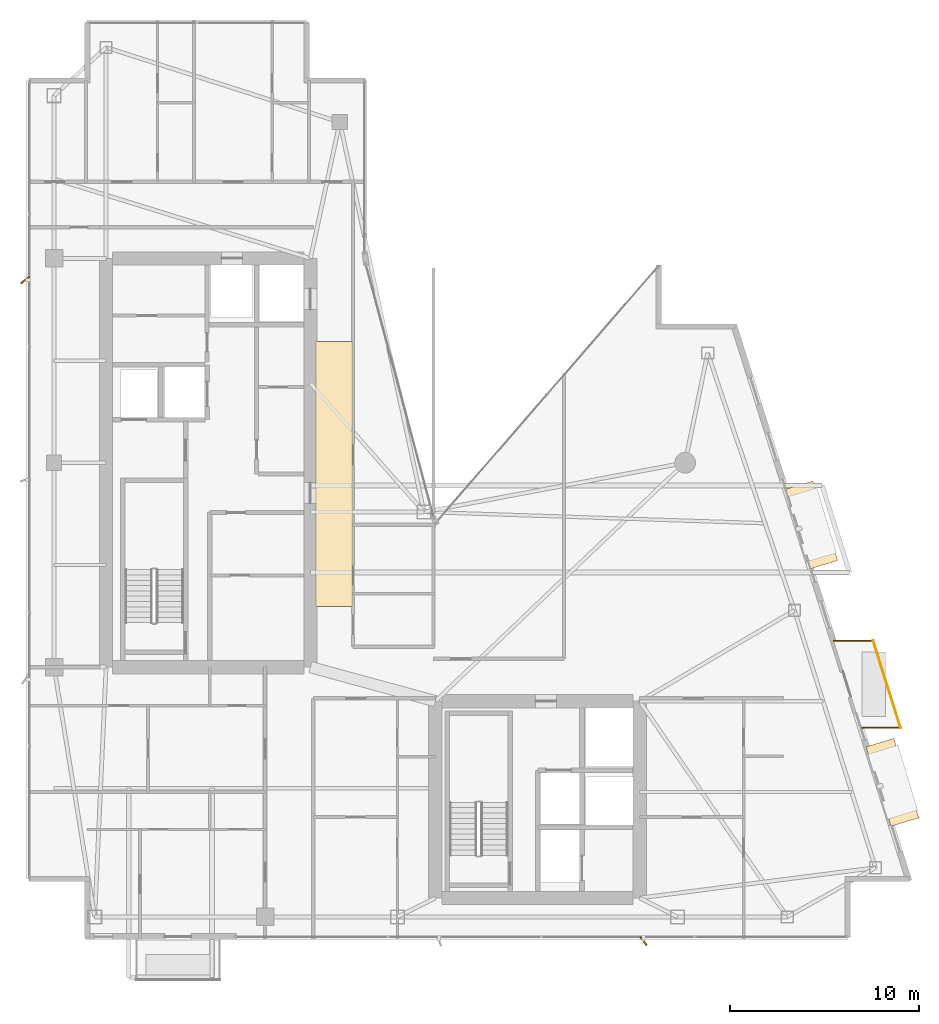
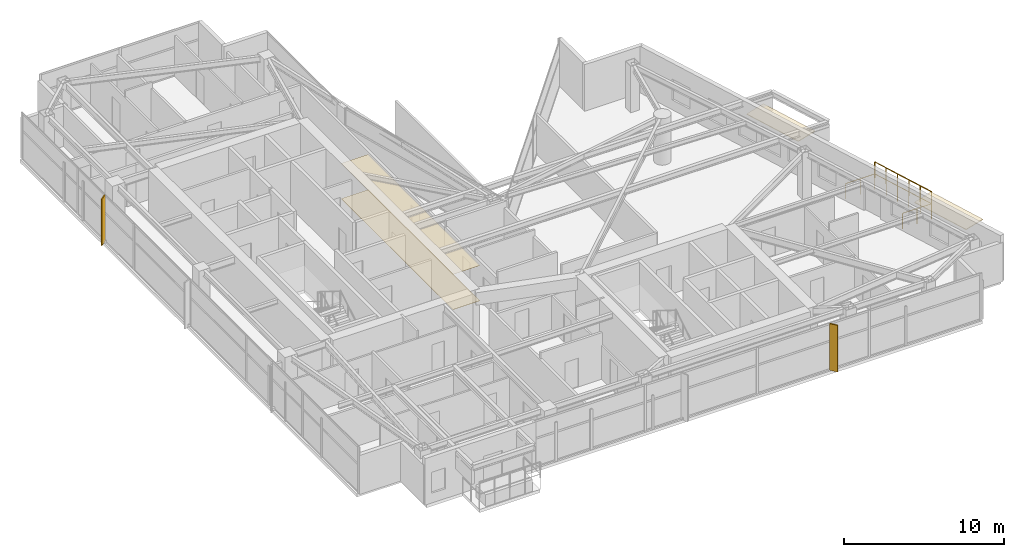
# One storey, part 29 of 29: 4 coverings, 2 railings, 2 shading devices.
"""IFC4 building model written with IfcOpenShell, lengths in metres."""

import ifcopenshell
import ifcopenshell.guid

model = None  # the IFC model being written
_history = None  # IfcOwnerHistory: only IFC2X3 demands one
_inside = {}  # id of a spatial element -> (the spatial element, [elements in it])
_under = {}  # id of a project, library or spatial element -> (it, [spatial elements below it])
_declared = {}  # id of a project -> (the project, [libraries it declares])
_typed = {}  # id of a type object -> (the type object, [elements of that type])
_made_of = {}  # id of a material, layer set ... -> (it, [elements and type objects made of it])


def new_model(schema):
    """Start an empty IFC model of exactly this schema.

    Asked for "IFC4X3", IfcOpenShell would pick the latest addendum, in which some entities
    have other attributes; the version numbers below select the first issue.
    IFC2X3 requires an IfcOwnerHistory on every rooted entity: one is made here for all.
    """
    global model, _history
    if schema == "IFC4X3":
        model = ifcopenshell.file(schema_version=(4, 3, 0, 0))
    else:
        model = ifcopenshell.file(schema=schema)
    _inside.clear()
    _under.clear()
    _declared.clear()
    _typed.clear()
    _made_of.clear()
    _history = None
    if model.schema == "IFC2X3":
        org = make("IfcOrganization", Name="unknown")
        user = make(
            "IfcPersonAndOrganization",
            ThePerson=make("IfcPerson", FamilyName="unknown"),
            TheOrganization=org,
        )
        app = make(
            "IfcApplication",
            ApplicationDeveloper=org,
            Version="unknown",
            ApplicationFullName="unknown",
            ApplicationIdentifier="unknown",
        )
        _history = make(
            "IfcOwnerHistory",
            OwningUser=user,
            OwningApplication=app,
            ChangeAction="ADDED",
            CreationDate=0,
        )
    return model


def make(cls, **values):
    """One entity of the class cls with the attributes given. An attribute that is None is left unset."""
    return model.create_entity(
        cls, **{name: value for name, value in values.items() if value is not None}
    )


def rooted(cls, **values):
    """An entity with a GlobalId (a new one), such as an element, a storey or a relation."""
    return make(cls, GlobalId=ifcopenshell.guid.new(), OwnerHistory=_history, **values)


def si_unit(unit_type, name, prefix=None):
    """IfcSIUnit, for example si_unit("LENGTHUNIT", "METRE", prefix="MILLI")."""
    return make("IfcSIUnit", UnitType=unit_type, Prefix=prefix, Name=name)


def assignment(units):
    """IfcUnitAssignment: the units of a project."""
    return None if units is None else make("IfcUnitAssignment", Units=units)


def point(xyz):
    """IfcCartesianPoint."""
    return None if xyz is None else make("IfcCartesianPoint", Coordinates=xyz)


def direction(xyz):
    """IfcDirection."""
    return None if xyz is None else make("IfcDirection", DirectionRatios=xyz)


def frame(location, z_axis=None, x_axis=None):
    """IfcAxis2Placement3D, a coordinate frame: its origin and axes. An axis left out is left unset."""
    return make(
        "IfcAxis2Placement3D",
        Location=point(location),
        Axis=direction(z_axis),
        RefDirection=direction(x_axis),
    )


def frame_2d(location, x_axis=None):
    """IfcAxis2Placement2D, a coordinate frame in the plane: its origin and x axis."""
    return make(
        "IfcAxis2Placement2D", Location=point(location), RefDirection=direction(x_axis)
    )


def origin():
    """The frame at (0, 0, 0) with its axes left unset."""
    return frame((0.0, 0.0, 0.0))


def origin_2d():
    """The frame at (0, 0) in the plane with its x axis left unset."""
    return frame_2d((0.0, 0.0))


def place(relative_to, where):
    """IfcLocalPlacement: puts the frame where relative to a parent placement (None: the world)."""
    return make(
        "IfcLocalPlacement", PlacementRelTo=relative_to, RelativePlacement=where
    )


def context(
    kind, dimensions, precision=None, world=None, true_north=None, identifier=None
):
    """IfcGeometricRepresentationContext, for example the 3D "Model" context."""
    return make(
        "IfcGeometricRepresentationContext",
        ContextIdentifier=identifier,
        ContextType=kind,
        CoordinateSpaceDimension=dimensions,
        Precision=precision,
        WorldCoordinateSystem=world,
        TrueNorth=true_north,
    )


def subcontext(parent, identifier, kind, view, scale=None):
    """IfcGeometricRepresentationSubContext, for example "Body" below "Model"."""
    return make(
        "IfcGeometricRepresentationSubContext",
        ContextIdentifier=identifier,
        ContextType=kind,
        ParentContext=parent,
        TargetScale=scale,
        TargetView=view,
    )


def project(units=None, contexts=None):
    """IfcProject with its units and contexts."""
    return rooted(
        "IfcProject",
        Name="project",
        RepresentationContexts=contexts,
        UnitsInContext=assignment(units),
    )


def spatial(cls, under=None, at=None, **own):
    """A site, building, storey or space (cls), placed at a placement, below another one or the project."""
    s = rooted(cls, ObjectPlacement=at, **own)
    if under is not None:
        _under.setdefault(under.id(), (under, []))[1].append(s)
    return s


def polyline(points):
    """IfcPolyline through the points."""
    return make("IfcPolyline", Points=[point(p) for p in points])


def profile(cls, at=None, kind="AREA", **sizes):
    """A parametric profile (cls). Its sizes go by their IFC names, for example OverallWidth=200.0."""
    return make(cls, ProfileType=kind, Position=at, **sizes)


def rectangle(**sizes):
    """IfcRectangleProfileDef."""
    return profile("IfcRectangleProfileDef", **sizes)


def circle(**sizes):
    """IfcCircleProfileDef."""
    return profile("IfcCircleProfileDef", **sizes)


def outline(outer, holes=None, kind="AREA"):
    """IfcArbitraryClosedProfileDef: a profile drawn as a closed curve; with holes, ...WithVoids."""
    if holes is None:
        return make("IfcArbitraryClosedProfileDef", ProfileType=kind, OuterCurve=outer)
    return make(
        "IfcArbitraryProfileDefWithVoids",
        ProfileType=kind,
        OuterCurve=outer,
        InnerCurves=holes,
    )


def extrude(swept, where, along, depth):
    """IfcExtrudedAreaSolid: the profile swept, set in the frame where, extruded along a direction by depth."""
    return make(
        "IfcExtrudedAreaSolid",
        SweptArea=swept,
        Position=where,
        ExtrudedDirection=direction(along),
        Depth=depth,
    )


def shape(context_of_items, identifier, shape_type, items):
    """IfcShapeRepresentation: the items that make up one representation, for example the "Body"."""
    return make(
        "IfcShapeRepresentation",
        ContextOfItems=context_of_items,
        RepresentationIdentifier=identifier,
        RepresentationType=shape_type,
        Items=items,
    )


def material(Name=None, Category=None):
    """IfcMaterial."""
    return make("IfcMaterial", Name=Name, Category=Category)


def layer(
    of_material, thickness, ventilated=None, Name=None, Category=None, Priority=None
):
    """IfcMaterialLayer: one layer of a wall or slab, of a material (None: an air gap)."""
    return make(
        "IfcMaterialLayer",
        Material=of_material,
        LayerThickness=thickness,
        IsVentilated=ventilated,
        Name=Name,
        Category=Category,
        Priority=Priority,
    )


def layer_set(layers, Name=None):
    """IfcMaterialLayerSet."""
    return make("IfcMaterialLayerSet", MaterialLayers=layers, LayerSetName=Name)


def made_of(thing, what):
    """Note that an element or type object is made of a material, layer set ...; save() writes the relation."""
    if what is not None:
        _made_of.setdefault(what.id(), (what, []))[1].append(thing)
    return thing


def type_object(cls, material=None, **own):
    """A type object (cls), such as IfcWallType, which elements share."""
    return made_of(rooted(cls, **own), material)


def element(
    cls,
    number,
    at=None,
    inside=None,
    cuts=None,
    type_object=None,
    material=None,
    context=None,
    identifier="Body",
    shape_type=None,
    held_by="IfcProductDefinitionShape",
    body=None,
    shapes=None,
    **own,
):
    """One element of the class cls, such as IfcWall. Its Tag is "e" and its number.

    at: its placement. inside: the storey or other place that contains it. cuts: it is an
    opening in that element (IfcRelVoidsElement). A single representation is given by context,
    identifier, shape_type and body (its items); several are given by shapes. held_by: the class
    of the entity that holds the representations. save() writes the other relations.
    """
    e = rooted(cls, Tag="e%d" % number, ObjectPlacement=at, **own)
    if body is not None:
        shapes = [shape(context, identifier, shape_type, body)]
    if shapes is not None:
        e.Representation = make(held_by, Representations=shapes)
    if inside is not None:
        _inside.setdefault(inside.id(), (inside, []))[1].append(e)
    if cuts is not None:
        rooted(
            "IfcRelVoidsElement", RelatingBuildingElement=cuts, RelatedOpeningElement=e
        )
    if type_object is not None:
        _typed.setdefault(type_object.id(), (type_object, []))[1].append(e)
    return made_of(e, material)


def aggregate(whole, parts):
    """IfcRelAggregates: a whole, such as a stair, and the parts it consists of."""
    return rooted("IfcRelAggregates", RelatingObject=whole, RelatedObjects=parts)


def save(model, path):
    """Write the relations noted so far, then the file.

    IfcRelAggregates (storeys below a building ...), IfcRelContainedInSpatialStructure (elements
    in a storey), IfcRelDefinesByType, IfcRelAssociatesMaterial and IfcRelDeclares: one each for
    every whole, place, type object, material and project.
    """
    for whole, parts in _under.values():
        aggregate(whole, parts)
    for where, things in _inside.values():
        rooted(
            "IfcRelContainedInSpatialStructure",
            RelatedElements=things,
            RelatingStructure=where,
        )
    for kind, things in _typed.values():
        rooted("IfcRelDefinesByType", RelatedObjects=things, RelatingType=kind)
    for what, things in _made_of.values():
        rooted("IfcRelAssociatesMaterial", RelatedObjects=things, RelatingMaterial=what)
    for by, libraries in _declared.values():
        rooted("IfcRelDeclares", RelatingContext=by, RelatedDefinitions=libraries)
    model.write(path)


model = new_model("IFC4")

# Units and contexts
model_context = context("Model", 3, precision=1e-05, world=origin(), true_north=direction((0.0, 1.0)))
body_context = subcontext(model_context, "Body", "Model", "MODEL_VIEW")
ifc_project = project(units=[si_unit("LENGTHUNIT", "METRE"), si_unit("AREAUNIT", "SQUARE_METRE"), si_unit("VOLUMEUNIT", "CUBIC_METRE"), si_unit("PLANEANGLEUNIT", "RADIAN"), si_unit("MASSUNIT", "GRAM", prefix="KILO")], contexts=[model_context])

# Site, building, storey
site_placement = place(None, origin())
site = spatial("IfcSite", under=ifc_project, at=site_placement, CompositionType="ELEMENT")
building_placement = place(site_placement, origin())
building = spatial("IfcBuilding", under=site, at=building_placement, Name="Calvorn Quay Hotel", CompositionType="ELEMENT")
storey_placement = place(building_placement, frame((0.0, 0.0, 251.39990234375)))
storey = spatial("IfcBuildingStorey", under=building, at=storey_placement, Name="L62", CompositionType="ELEMENT", Elevation=251.39990234375)

# Coverings
ifc_material_1 = material(Name="Anodised Aluminium Acoustic Baffle", Category="aluminium")
ifc_layer_1 = layer(ifc_material_1, 0.02001953125)
ifc_layer_set_1 = layer_set([ifc_layer_1], Name="COV-CEIL-METAL")
covering_type_1 = type_object("IfcCoveringType", Name="COV-CEIL-METAL", PredefinedType="CEILING", material=ifc_layer_set_1)
covering_1_placement = place(storey_placement, frame((16.25, 27.0, 2.7001953125), z_axis=(0.0, 0.0, 1.0), x_axis=(1.0, 0.0, 0.0)))
element("IfcCovering", 1, at=covering_1_placement, inside=storey, type_object=covering_type_1, Name="Acoustic Suspended Ceiling (L62)", PredefinedType="CEILING", context=body_context, shape_type="SweptSolid", body=[
    extrude(rectangle(XDim=1.9599609375, YDim=14.0, at=origin_2d()), origin(), (0.0, 0.0, 1.0), 0.02001953125),
])
ifc_material_2 = material(Name="Pale Anodised Aluminium Rainscreen Cladding", Category="aluminium")
ifc_layer_2 = layer(ifc_material_2, 0.044921875)
ifc_layer_set_2 = layer_set([ifc_layer_2], Name="COV-CROWN-CLAD")
covering_type_2 = type_object("IfcCoveringType", Name="COV-CROWN-CLAD", PredefinedType="CLADDING", material=ifc_layer_set_2)
covering_2_placement = place(storey_placement, frame((0.0, 0.0, 2.505126953125)))
element("IfcCovering", 2, at=covering_2_placement, inside=storey, type_object=covering_type_2, Name="Angled Bay Hood Canopy L62-HOOD-1", PredefinedType="CLADDING", context=body_context, shape_type="SweptSolid", body=[
    extrude(outline(polyline([(44.35693359375, 12.587890625), (45.8310546875, 13.034912109375), (47.154052734375, 8.8349609375), (45.679931640625, 8.387939453125), (44.35693359375, 12.587890625)])), origin(), (0.0, 0.0, 1.0), 0.044921875),
])
covering_3_placement = place(storey_placement, frame((0.0, 0.0, 2.505126953125)))
element("IfcCovering", 3, at=covering_3_placement, inside=storey, type_object=covering_type_2, Name="Angled Bay Hood Canopy L62-HOOD-3", PredefinedType="CLADDING", context=body_context, shape_type="SweptSolid", body=[
    extrude(outline(polyline([(40.072021484375, 26.18798828125), (41.544921875, 26.635009765625), (42.867919921875, 22.43505859375), (41.39501953125, 21.988037109375), (40.072021484375, 26.18798828125)])), origin(), (0.0, 0.0, 1.0), 0.044921875),
])
ifc_material_3 = material(Name="Honed Granite Stone Flooring", Category="masonry")
ifc_layer_3 = layer(ifc_material_3, 0.02392578125)
ifc_layer_set_3 = layer_set([ifc_layer_3], Name="COV-FLOOR-STONE")
covering_type_3 = type_object("IfcCoveringType", Name="COV-FLOOR-STONE", PredefinedType="FLOORING", material=ifc_layer_set_3)
covering_4_placement = place(storey_placement, frame((16.25, 27.0, 0.000244140625), z_axis=(0.0, 0.0, 1.0), x_axis=(1.0, 0.0, 0.0)))
element("IfcCovering", 4, at=covering_4_placement, inside=storey, type_object=covering_type_3, Name="Interior Floor Finish (L62)", PredefinedType="FLOORING", context=body_context, shape_type="SweptSolid", body=[
    extrude(rectangle(XDim=1.9599609375, YDim=14.0, at=origin_2d()), origin(), (0.0, 0.0, 1.0), 0.02392578125),
])

# Railings
ifc_material_4 = material(Name="Pale Anodised Aluminium and Laminated Glass", Category="aluminium")
railing_type = type_object("IfcRailingType", Name="RLG-BALUSTRADE-1200", PredefinedType="BALUSTRADE", material=ifc_material_4)
railing_1_placement = place(storey_placement, frame((44.089111328125, 13.60009765625, 0.0)))
element("IfcRailing", 5, at=railing_1_placement, inside=storey, type_object=railing_type, Name="Tree Balcony Perimeter Balustrade L62-BALC-E", PredefinedType="BALUSTRADE", context=body_context, shape_type="SweptSolid", body=[
    extrude(circle(Radius=0.02392578125, at=origin_2d()), frame((0.0, 0.0, 1.17578125), z_axis=(1.0, 0.0, 0.0), x_axis=(0.0, 1.0, 0.0)), (0.0, 0.0, 1.0), 2.099853515625),
    extrude(circle(Radius=0.02392578125, at=origin_2d()), frame((2.099853515625, 0.0, 1.17578125), z_axis=(-0.300450487966, 0.953797412599, 0.0), x_axis=(-0.953797412599, -0.300450487966, 0.0)), (0.0, 0.0, 1.0), 4.82275390625),
    extrude(circle(Radius=0.02392578125, at=origin_2d()), frame((0.65087890625, 4.599853515625, 1.17578125), z_axis=(-1.0, 0.0, 0.0), x_axis=(0.0, -1.0, 0.0)), (0.0, 0.0, 1.0), 2.10009765625),
    extrude(circle(Radius=0.02099609375, at=origin_2d()), origin(), (0.0, 0.0, 1.0), 1.15185546875),
    extrude(circle(Radius=0.02099609375, at=origin_2d()), frame((1.0498046875, 0.0, 0.0)), (0.0, 0.0, 1.0), 1.15185546875),
    extrude(circle(Radius=0.02099609375, at=origin_2d()), frame((2.099853515625, 0.0, 0.0)), (0.0, 0.0, 1.0), 1.15185546875),
    extrude(circle(Radius=0.02099609375, at=origin_2d()), frame((1.81005859375, 0.919921875, 0.0)), (0.0, 0.0, 1.0), 1.15185546875),
    extrude(circle(Radius=0.02099609375, at=origin_2d()), frame((1.520263671875, 1.83984375, 0.0)), (0.0, 0.0, 1.0), 1.15185546875),
    extrude(circle(Radius=0.02099609375, at=origin_2d()), frame((1.23046875, 2.760009765625, 0.0)), (0.0, 0.0, 1.0), 1.15185546875),
    extrude(circle(Radius=0.02099609375, at=origin_2d()), frame((0.940673828125, 3.679931640625, 0.0)), (0.0, 0.0, 1.0), 1.15185546875),
    extrude(circle(Radius=0.02099609375, at=origin_2d()), frame((0.65087890625, 4.599853515625, 0.0)), (0.0, 0.0, 1.0), 1.15185546875),
    extrude(circle(Radius=0.02099609375, at=origin_2d()), frame((-0.399169921875, 4.599853515625, 0.0)), (0.0, 0.0, 1.0), 1.15185546875),
    extrude(circle(Radius=0.02099609375, at=origin_2d()), frame((-1.44921875, 4.599853515625, 0.0)), (0.0, 0.0, 1.0), 1.15185546875),
])
railing_2_placement = place(storey_placement, frame((46.18896484375, 13.60009765625, 0.900146484375)))
element("IfcRailing", 6, at=railing_2_placement, inside=storey, type_object=railing_type, Name="Planter Kerb High Safety Screen L62-BALC-E", PredefinedType="BALUSTRADE", context=body_context, shape_type="SweptSolid", body=[
    extrude(circle(Radius=0.02392578125, at=origin_2d()), frame((0.0, 0.0, 1.19580078125), z_axis=(-0.300450487966, 0.953797412599, 0.0), x_axis=(-0.953797412599, -0.300450487966, 0.0)), (0.0, 0.0, 1.0), 4.82275390625),
    extrude(circle(Radius=0.02099609375, at=origin_2d()), origin(), (0.0, 0.0, 1.0), 1.171875),
    extrude(circle(Radius=0.02099609375, at=origin_2d()), frame((-0.289794921875, 0.919921875, 0.0)), (0.0, 0.0, 1.0), 1.171875),
    extrude(circle(Radius=0.02099609375, at=origin_2d()), frame((-0.57958984375, 1.83984375, 0.0)), (0.0, 0.0, 1.0), 1.171875),
    extrude(circle(Radius=0.02099609375, at=origin_2d()), frame((-0.869384765625, 2.760009765625, 0.0)), (0.0, 0.0, 1.0), 1.171875),
    extrude(circle(Radius=0.02099609375, at=origin_2d()), frame((-1.1591796875, 3.679931640625, 0.0)), (0.0, 0.0, 1.0), 1.171875),
    extrude(circle(Radius=0.02099609375, at=origin_2d()), frame((-1.448974609375, 4.599853515625, 0.0)), (0.0, 0.0, 1.0), 1.171875),
])

# Shading devices
ifc_material_5 = material(Name="Champagne Bronze Anodised Aluminium 6063-T6", Category="aluminium")
shading_device_type = type_object("IfcShadingDeviceType", Name="SHD-FIN-A2", PredefinedType="USERDEFINED", material=ifc_material_5)
for number, where, z_axis, x_axis, name in (
    (7, (-0.080078125, 37.25, 0.0), (0.0, 0.0, 1.0), (0.788010753607, 0.615661475326, 0.0), "Diagonal Sun-Shading Fin L62-W03"),
    (8, (32.60009765625, 2.320068359375, 0.0), (0.0, 0.0, 1.0), (-0.615661475326, 0.788010753607, 0.0), "Diagonal Sun-Shading Fin L62-S02"),
):
    element("IfcShadingDevice", number, at=place(storey_placement, frame(where, z_axis=z_axis, x_axis=x_axis)), inside=storey, type_object=shading_device_type, Name=name, ObjectType="FIN", PredefinedType="USERDEFINED", context=body_context, shape_type="SweptSolid", body=[
        extrude(rectangle(XDim=0.550048828125, YDim=0.080078125, at=origin_2d()), origin(), (0.0, 0.0, 1.0), 3.56005859375),
    ])

save(model, "model.ifc")
